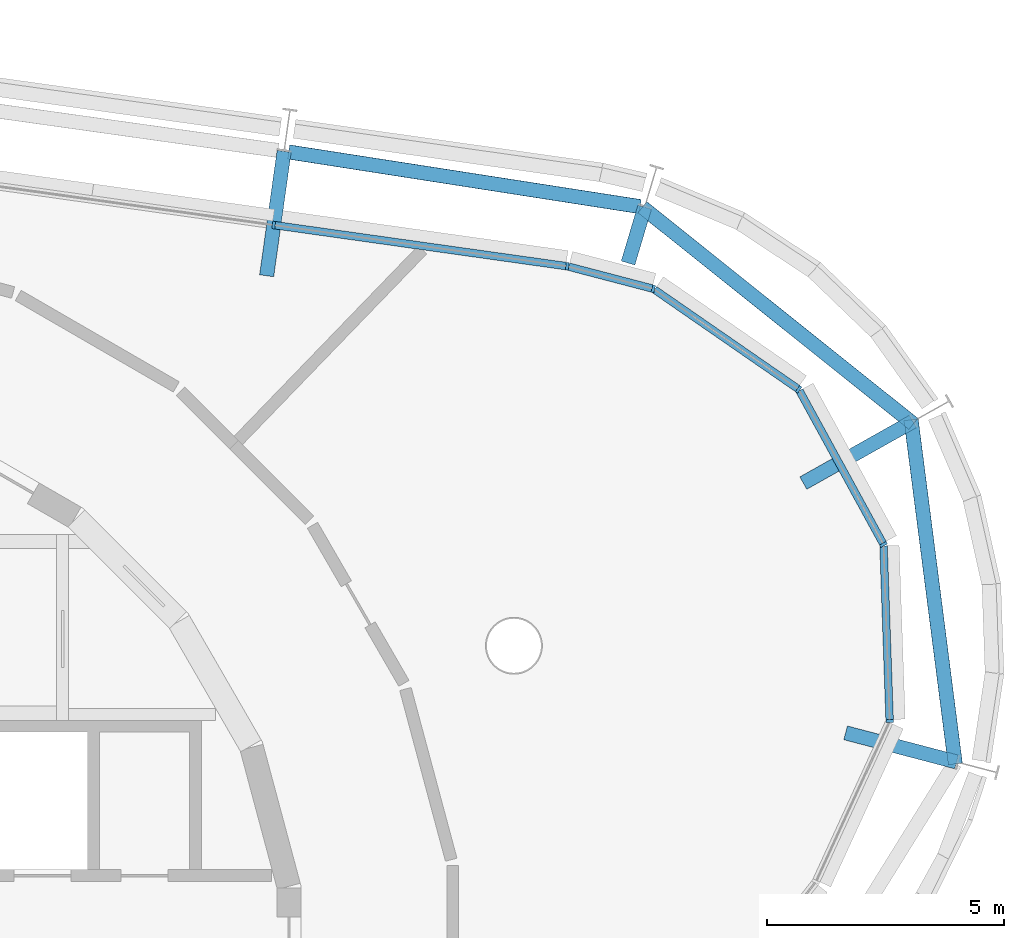
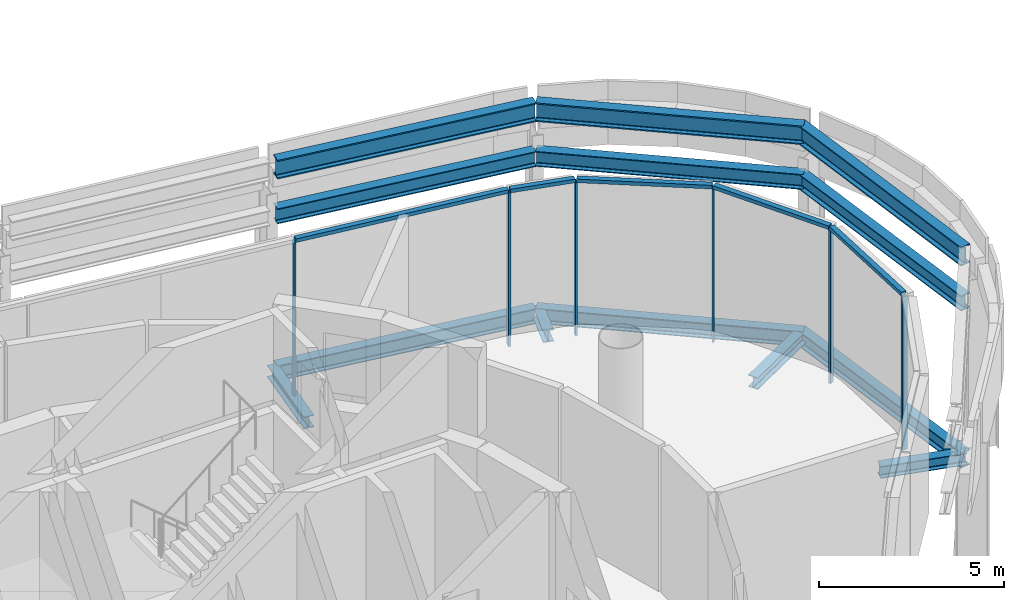
# One storey, part 7 of 15: 13 beams, 11 members, 2 elements without a shape of their own.
"""IFC4 building model written with IfcOpenShell, lengths in metres."""

from ifc_helpers import new_model, si_unit, direction, frame, origin, origin_2d, place, context, subcontext, project, spatial, rectangle, i_section, extrude, material, layer, layer_set, material_profile, profile_set, type_object, element, aggregate, save


model = new_model("IFC4")

# Units and contexts
model_context = context("Model", 3, precision=1e-05, world=origin(), true_north=direction((0.0, 1.0)))
body_context = subcontext(model_context, "Body", "Model", "MODEL_VIEW")
ifc_project = project(units=[si_unit("LENGTHUNIT", "METRE"), si_unit("AREAUNIT", "SQUARE_METRE"), si_unit("VOLUMEUNIT", "CUBIC_METRE"), si_unit("PLANEANGLEUNIT", "RADIAN"), si_unit("MASSUNIT", "GRAM", prefix="KILO")], contexts=[model_context])

# Site, building, storey
site_placement = place(None, origin())
site = spatial("IfcSite", under=ifc_project, at=site_placement, CompositionType="ELEMENT")
building_placement = place(site_placement, origin())
building = spatial("IfcBuilding", under=site, at=building_placement, Name="Spindle Arch Residences", CompositionType="ELEMENT")
storey_placement = place(building_placement, frame((0.0, 0.0, 366.199951171875)))
storey = spatial("IfcBuildingStorey", under=building, at=storey_placement, Name="L94", CompositionType="ELEMENT", Elevation=366.199951171875)

# Curtain wall, members
ifc_material_1 = material(Name="Aluminium bronze unitised frame with tinted glass", Category="aluminium")
ifc_layer = layer(ifc_material_1, 0.159912109375)
ifc_layer_set = layer_set([ifc_layer], Name="CW-F crown plant glazed wall")
curtain_wall_type = type_object("IfcCurtainWallType", Name="CW-F crown plant glazed wall", PredefinedType="NOTDEFINED", material=ifc_layer_set)
curtain_wall_1_placement = place(storey_placement, origin())
curtain_wall_1 = element("IfcCurtainWall", 1, at=curtain_wall_1_placement, inside=storey, type_object=curtain_wall_type, Name="CW-F L94 run 1", PredefinedType="NOTDEFINED")
ifc_material_2 = material(Name="Aluminium bronze anodised mullion", Category="aluminium")
ifc_material_profile_1 = material_profile(ifc_material_2, rectangle(XDim=0.159912109375, YDim=0.06005859375, at=origin_2d()), Name="MU 60x160")
ifc_profile_set_1 = profile_set([ifc_material_profile_1], Name="Aluminium bronze anodised mullion")
member_type_1 = type_object("IfcMemberType", Name="Bronze mullion 60x160", PredefinedType="MULLION", material=ifc_profile_set_1)
member_1_placement = place(storey_placement, frame((24.31201171875, 5.033935546875, -0.3798828125), z_axis=(0.0, 0.0, 1.0), x_axis=(-0.999390827004, -0.034899497139, 0.0)))
member_1 = element("IfcMember", 2, at=member_1_placement, type_object=member_type_1, Name="CW-F mullion 02", PredefinedType="MULLION", context=body_context, shape_type="SweptSolid", body=[
    extrude(rectangle(XDim=0.159912109375, YDim=0.06005859375, at=origin_2d()), origin(), (0.0, 0.0, 1.0), 5.059814453125),
])
member_2_placement = place(storey_placement, frame((24.18212890625, 8.758544921875, -0.3798828125), z_axis=(0.0, 0.0, 1.0), x_axis=(-0.877425397533, -0.479713114021, 0.0)))
member_2 = element("IfcMember", 3, at=member_2_placement, type_object=member_type_1, Name="CW-F mullion 03", PredefinedType="MULLION", context=body_context, shape_type="SweptSolid", body=[
    extrude(rectangle(XDim=0.159912109375, YDim=0.06005859375, at=origin_2d()), origin(), (0.0, 0.0, 1.0), 5.059814453125),
])
member_3_placement = place(storey_placement, frame((22.394287109375, 12.0283203125, -0.3798828125), z_axis=(0.0, 0.0, 1.0), x_axis=(-0.568801123739, -0.822475094841, 0.0)))
member_3 = element("IfcMember", 4, at=member_3_placement, type_object=member_type_1, Name="CW-F mullion 04", PredefinedType="MULLION", context=body_context, shape_type="SweptSolid", body=[
    extrude(rectangle(XDim=0.159912109375, YDim=0.06005859375, at=origin_2d()), origin(), (0.0, 0.0, 1.0), 5.059814453125),
])
member_4_placement = place(storey_placement, frame((19.3291015625, 14.148193359375, -0.3798828125), z_axis=(0.0, 0.0, 1.0), x_axis=(-0.25319517245, -0.967415218326, 0.0)))
member_4 = element("IfcMember", 5, at=member_4_placement, type_object=member_type_1, Name="CW-F mullion 05", PredefinedType="MULLION", context=body_context, shape_type="SweptSolid", body=[
    extrude(rectangle(XDim=0.159912109375, YDim=0.06005859375, at=origin_2d()), origin(), (0.0, 0.0, 1.0), 5.059814453125),
])
member_5_placement = place(storey_placement, frame((17.51416015625, 14.623291015625, -0.3798828125), z_axis=(0.0, 0.0, 1.0), x_axis=(-0.13917310096, -0.990268068742, 0.0)))
member_5 = element("IfcMember", 6, at=member_5_placement, type_object=member_type_1, Name="CW-F mullion 06", PredefinedType="MULLION", context=body_context, shape_type="SweptSolid", body=[
    extrude(rectangle(XDim=0.159912109375, YDim=0.06005859375, at=origin_2d()), origin(), (0.0, 0.0, 1.0), 5.059814453125),
])

# Curtain wall, member
curtain_wall_2_placement = place(storey_placement, origin())
curtain_wall_2 = element("IfcCurtainWall", 7, at=curtain_wall_2_placement, inside=storey, type_object=curtain_wall_type, Name="CW-F L94 run 2", PredefinedType="NOTDEFINED")
member_6_placement = place(storey_placement, frame((11.326171875, 15.492919921875, -0.3798828125), z_axis=(0.0, 0.0, 1.0), x_axis=(-0.13917310096, -0.990268068742, 0.0)))
member_6 = element("IfcMember", 8, at=member_6_placement, type_object=member_type_1, Name="CW-F mullion 05", PredefinedType="MULLION", context=body_context, shape_type="SweptSolid", body=[
    extrude(rectangle(XDim=0.159912109375, YDim=0.06005859375, at=origin_2d()), origin(), (0.0, 0.0, 1.0), 5.059814453125),
])
aggregate(curtain_wall_2, [member_6])

# Member
ifc_material_3 = material(Name="Aluminium bronze anodised transom", Category="aluminium")
ifc_material_profile_2 = material_profile(ifc_material_3, rectangle(XDim=0.159912109375, YDim=0.1201171875, at=origin_2d()), Name="TR 120x160")
ifc_profile_set_2 = profile_set([ifc_material_profile_2], Name="Aluminium bronze anodised transom")
member_type_2 = type_object("IfcMemberType", Name="Bronze transom 120x160", PredefinedType="USERDEFINED", material=ifc_profile_set_2)
member_7_placement = place(storey_placement, frame((24.31103515625, 5.06396484375, 4.739990234375), z_axis=(-0.034888806725, 0.999391200264, 0.0), x_axis=(-0.999391200264, -0.034888806725, 0.0)))
member_7 = element("IfcMember", 9, at=member_7_placement, type_object=member_type_2, Name="CW-F transom 02", ObjectType="TRANSOM", PredefinedType="USERDEFINED", context=body_context, shape_type="SweptSolid", body=[
    extrude(rectangle(XDim=0.159912109375, YDim=0.1201171875, at=origin_2d()), origin(), (0.0, 0.0, 1.0), 3.666748046875),
])

member_8_placement = place(storey_placement, frame((24.167724609375, 8.784912109375, 4.739990234375), z_axis=(-0.479724247399, 0.877419310511, 0.0), x_axis=(-0.877419310511, -0.479724247399, 0.0)))
member_8 = element("IfcMember", 10, at=member_8_placement, type_object=member_type_2, Name="CW-F transom 03", ObjectType="TRANSOM", PredefinedType="USERDEFINED", context=body_context, shape_type="SweptSolid", body=[
    extrude(rectangle(XDim=0.159912109375, YDim=0.1201171875, at=origin_2d()), origin(), (0.0, 0.0, 1.0), 3.666748046875),
])

member_9_placement = place(storey_placement, frame((22.36962890625, 12.04541015625, 4.739990234375), z_axis=(-0.822474926174, 0.568801367628, 0.0), x_axis=(-0.568801367628, -0.822474926174, 0.0)))
member_9 = element("IfcMember", 11, at=member_9_placement, type_object=member_type_2, Name="CW-F transom 04", ObjectType="TRANSOM", PredefinedType="USERDEFINED", context=body_context, shape_type="SweptSolid", body=[
    extrude(rectangle(XDim=0.159912109375, YDim=0.1201171875, at=origin_2d()), origin(), (0.0, 0.0, 1.0), 3.666748046875),
])

member_10_placement = place(storey_placement, frame((19.300048828125, 14.15576171875, 4.739990234375), z_axis=(-0.96739418578, 0.253275520568, 0.0), x_axis=(-0.253275520568, -0.96739418578, 0.0)))
member_10 = element("IfcMember", 12, at=member_10_placement, type_object=member_type_2, Name="CW-F transom 05", ObjectType="TRANSOM", PredefinedType="USERDEFINED", context=body_context, shape_type="SweptSolid", body=[
    extrude(rectangle(XDim=0.159912109375, YDim=0.1201171875, at=origin_2d()), origin(), (0.0, 0.0, 1.0), 1.816162109375),
])

member_11_placement = place(storey_placement, frame((17.484375, 14.62744140625, 4.739990234375), z_axis=(-0.990267285989, 0.139178670423, 0.0), x_axis=(-0.139178670423, -0.990267285989, 0.0)))
member_11 = element("IfcMember", 13, at=member_11_placement, type_object=member_type_2, Name="CW-F transom 06", ObjectType="TRANSOM", PredefinedType="USERDEFINED", context=body_context, shape_type="SweptSolid", body=[
    extrude(rectangle(XDim=0.159912109375, YDim=0.1201171875, at=origin_2d()), origin(), (0.0, 0.0, 1.0), 6.188720703125),
])

aggregate(curtain_wall_1, [member_1, member_7, member_2, member_8, member_3, member_9, member_4, member_10, member_5, member_11])

# Beams
ifc_material_4 = material(Name="Steel S460ML, intumescent coating R 120", Category="steel")
ifc_material_profile_3 = material_profile(ifc_material_4, i_section(OverallWidth=0.304931640625, OverallDepth=0.6201171875, WebThickness=0.02099609375, FlangeThickness=0.0400390625, FilletRadius=0.027099609375, at=origin_2d()), Name="HEM 600")
ifc_profile_set_3 = profile_set([ifc_material_profile_3], Name="Steel S460ML, intumescent coating R 120")
beam_type_1 = type_object("IfcBeamType", Name="Crown ring beam HEM 600", PredefinedType="BEAM", material=ifc_profile_set_3)
beam_1_placement = place(storey_placement, frame((25.69580078125, 4.128662109375, 6.090087890625), z_axis=(-0.127344466516, 0.991858551835, 0.0), x_axis=(-0.991858551835, -0.127344466516, 0.0)))
element("IfcBeam", 14, at=beam_1_placement, inside=storey, type_object=beam_type_1, Name="Crown ring beam L94 3", PredefinedType="BEAM", context=body_context, shape_type="SweptSolid", body=[
    extrude(i_section(OverallWidth=0.304931640625, OverallDepth=0.6201171875, WebThickness=0.02099609375, FlangeThickness=0.0400390625, FilletRadius=0.027099609375, at=origin_2d()), origin(), (0.0, 0.0, 1.0), 7.31591796875),
])
beam_2_placement = place(storey_placement, frame((24.811279296875, 11.30078125, 6.090087890625), z_axis=(-0.781184527882, 0.624300194937, 0.0), x_axis=(-0.624300194937, -0.781184527882, 0.0)))
element("IfcBeam", 15, at=beam_2_placement, inside=storey, type_object=beam_type_1, Name="Crown ring beam L94 4", PredefinedType="BEAM", context=body_context, shape_type="SweptSolid", body=[
    extrude(i_section(OverallWidth=0.304931640625, OverallDepth=0.6201171875, WebThickness=0.02099609375, FlangeThickness=0.0400390625, FilletRadius=0.027099609375, at=origin_2d()), origin(), (0.0, 0.0, 1.0), 7.315673828125),
])
beam_3_placement = place(storey_placement, frame((19.051513671875, 15.881103515625, 6.090087890625), z_axis=(-0.988123169285, 0.15366392655, 0.0), x_axis=(-0.15366392655, -0.988123169285, 0.0)))
element("IfcBeam", 16, at=beam_3_placement, inside=storey, type_object=beam_type_1, Name="Crown ring beam L94 5", PredefinedType="BEAM", context=body_context, shape_type="SweptSolid", body=[
    extrude(i_section(OverallWidth=0.304931640625, OverallDepth=0.6201171875, WebThickness=0.02099609375, FlangeThickness=0.0400390625, FilletRadius=0.027099609375, at=origin_2d()), origin(), (0.0, 0.0, 1.0), 7.500732421875),
])
ifc_material_5 = material(Name="Steel S460ML, intumescent coating R 120", Category="steel")
ifc_material_profile_4 = material_profile(ifc_material_5, i_section(OverallWidth=0.300048828125, OverallDepth=0.5, WebThickness=0.014404296875, FlangeThickness=0.028076171875, FilletRadius=0.027099609375, at=origin_2d()), Name="HEB 500")
ifc_profile_set_4 = profile_set([ifc_material_profile_4], Name="Steel S460ML, intumescent coating R 120")
beam_type_2 = type_object("IfcBeamType", Name="Exoskeleton edge beam HEB 500", PredefinedType="BEAM", material=ifc_profile_set_4)
beam_4_placement = place(storey_placement, frame((25.69580078125, 4.128662109375, -0.6298828125), z_axis=(-0.127344466516, 0.991858551835, 0.0), x_axis=(-0.991858551835, -0.127344466516, 0.0)))
element("IfcBeam", 17, at=beam_4_placement, inside=storey, type_object=beam_type_2, Name="Exoskeleton edge beam 3", PredefinedType="BEAM", context=body_context, shape_type="SweptSolid", body=[
    extrude(i_section(OverallWidth=0.300048828125, OverallDepth=0.5, WebThickness=0.014404296875, FlangeThickness=0.028076171875, FilletRadius=0.027099609375, at=origin_2d()), origin(), (0.0, 0.0, 1.0), 7.31591796875),
])
beam_5_placement = place(storey_placement, frame((24.811279296875, 11.30078125, -0.6298828125), z_axis=(-0.781184527882, 0.624300194937, 0.0), x_axis=(-0.624300194937, -0.781184527882, 0.0)))
element("IfcBeam", 18, at=beam_5_placement, inside=storey, type_object=beam_type_2, Name="Exoskeleton edge beam 4", PredefinedType="BEAM", context=body_context, shape_type="SweptSolid", body=[
    extrude(i_section(OverallWidth=0.300048828125, OverallDepth=0.5, WebThickness=0.014404296875, FlangeThickness=0.028076171875, FilletRadius=0.027099609375, at=origin_2d()), origin(), (0.0, 0.0, 1.0), 7.315673828125),
])
beam_6_placement = place(storey_placement, frame((19.051513671875, 15.881103515625, -0.6298828125), z_axis=(-0.988123169285, 0.15366392655, 0.0), x_axis=(-0.15366392655, -0.988123169285, 0.0)))
element("IfcBeam", 19, at=beam_6_placement, inside=storey, type_object=beam_type_2, Name="Exoskeleton edge beam 5", PredefinedType="BEAM", context=body_context, shape_type="SweptSolid", body=[
    extrude(i_section(OverallWidth=0.300048828125, OverallDepth=0.5, WebThickness=0.014404296875, FlangeThickness=0.028076171875, FilletRadius=0.027099609375, at=origin_2d()), origin(), (0.0, 0.0, 1.0), 7.500732421875),
])
beam_7_placement = place(storey_placement, frame((25.69580078125, 4.128662109375, 4.550048828125), z_axis=(-0.127344466516, 0.991858551835, 0.0), x_axis=(-0.991858551835, -0.127344466516, 0.0)))
element("IfcBeam", 20, at=beam_7_placement, inside=storey, type_object=beam_type_2, Name="Exoskeleton edge beam L94 3", PredefinedType="BEAM", context=body_context, shape_type="SweptSolid", body=[
    extrude(i_section(OverallWidth=0.300048828125, OverallDepth=0.5, WebThickness=0.014404296875, FlangeThickness=0.028076171875, FilletRadius=0.027099609375, at=origin_2d()), origin(), (0.0, 0.0, 1.0), 7.31591796875),
])
beam_8_placement = place(storey_placement, frame((24.811279296875, 11.30078125, 4.550048828125), z_axis=(-0.781184527882, 0.624300194937, 0.0), x_axis=(-0.624300194937, -0.781184527882, 0.0)))
element("IfcBeam", 21, at=beam_8_placement, inside=storey, type_object=beam_type_2, Name="Exoskeleton edge beam L94 4", PredefinedType="BEAM", context=body_context, shape_type="SweptSolid", body=[
    extrude(i_section(OverallWidth=0.300048828125, OverallDepth=0.5, WebThickness=0.014404296875, FlangeThickness=0.028076171875, FilletRadius=0.027099609375, at=origin_2d()), origin(), (0.0, 0.0, 1.0), 7.315673828125),
])
beam_9_placement = place(storey_placement, frame((19.051513671875, 15.881103515625, 4.550048828125), z_axis=(-0.988123169285, 0.15366392655, 0.0), x_axis=(-0.15366392655, -0.988123169285, 0.0)))
element("IfcBeam", 22, at=beam_9_placement, inside=storey, type_object=beam_type_2, Name="Exoskeleton edge beam L94 5", PredefinedType="BEAM", context=body_context, shape_type="SweptSolid", body=[
    extrude(i_section(OverallWidth=0.300048828125, OverallDepth=0.5, WebThickness=0.014404296875, FlangeThickness=0.028076171875, FilletRadius=0.027099609375, at=origin_2d()), origin(), (0.0, 0.0, 1.0), 7.500732421875),
])
ifc_material_6 = material(Name="Steel S460ML, intumescent coating R 120", Category="steel")
ifc_material_profile_5 = material_profile(ifc_material_6, i_section(OverallWidth=0.300048828125, OverallDepth=0.389892578125, WebThickness=0.010986328125, FlangeThickness=0.01904296875, FilletRadius=0.027099609375, at=origin_2d()), Name="HEA 400")
ifc_profile_set_5 = profile_set([ifc_material_profile_5], Name="Steel S460ML, intumescent coating R 120")
beam_type_3 = type_object("IfcBeamType", Name="Floor outrigger HEA 400", PredefinedType="BEAM", material=ifc_profile_set_5)
beam_10_placement = place(storey_placement, frame((25.723388671875, 4.17138671875, -0.574951171875), z_axis=(-0.967207729223, 0.253986630616, 0.0), x_axis=(-0.253986630616, -0.967207729223, 0.0)))
element("IfcBeam", 23, at=beam_10_placement, inside=storey, type_object=beam_type_3, Name="Floor outrigger 3", PredefinedType="BEAM", context=body_context, shape_type="SweptSolid", body=[
    extrude(i_section(OverallWidth=0.300048828125, OverallDepth=0.389892578125, WebThickness=0.010986328125, FlangeThickness=0.01904296875, FilletRadius=0.027099609375, at=origin_2d()), origin(), (0.0, 0.0, 1.0), 2.41943359375),
])
beam_11_placement = place(storey_placement, frame((24.801513671875, 11.3505859375, -0.574951171875), z_axis=(-0.871686240554, -0.490064381514, 0.0), x_axis=(0.490064381514, -0.871686240554, 0.0)))
element("IfcBeam", 24, at=beam_11_placement, inside=storey, type_object=beam_type_3, Name="Floor outrigger 4", PredefinedType="BEAM", context=body_context, shape_type="SweptSolid", body=[
    extrude(i_section(OverallWidth=0.300048828125, OverallDepth=0.389892578125, WebThickness=0.010986328125, FlangeThickness=0.01904296875, FilletRadius=0.027099609375, at=origin_2d()), origin(), (0.0, 0.0, 1.0), 2.64990234375),
])
beam_12_placement = place(storey_placement, frame((19.147216796875, 15.869384765625, -0.574951171875), z_axis=(-0.285798722121, -0.958289669377, 0.0), x_axis=(0.958289669377, -0.285798722121, 0.0)))
element("IfcBeam", 25, at=beam_12_placement, inside=storey, type_object=beam_type_3, Name="Floor outrigger 5", PredefinedType="BEAM", context=body_context, shape_type="SweptSolid", body=[
    extrude(i_section(OverallWidth=0.300048828125, OverallDepth=0.389892578125, WebThickness=0.010986328125, FlangeThickness=0.01904296875, FilletRadius=0.027099609375, at=origin_2d()), origin(), (0.0, 0.0, 1.0), 1.229248046875),
])
beam_13_placement = place(storey_placement, frame((11.544921875, 17.047607421875, -0.574951171875), z_axis=(-0.1392026036, -0.990263921968, 0.0), x_axis=(0.990263921968, -0.1392026036, 0.0)))
element("IfcBeam", 26, at=beam_13_placement, inside=storey, type_object=beam_type_3, Name="Floor outrigger 6", PredefinedType="BEAM", context=body_context, shape_type="SweptSolid", body=[
    extrude(i_section(OverallWidth=0.300048828125, OverallDepth=0.389892578125, WebThickness=0.010986328125, FlangeThickness=0.01904296875, FilletRadius=0.027099609375, at=origin_2d()), origin(), (0.0, 0.0, 1.0), 2.650146484375),
])

save(model, "model.ifc")
